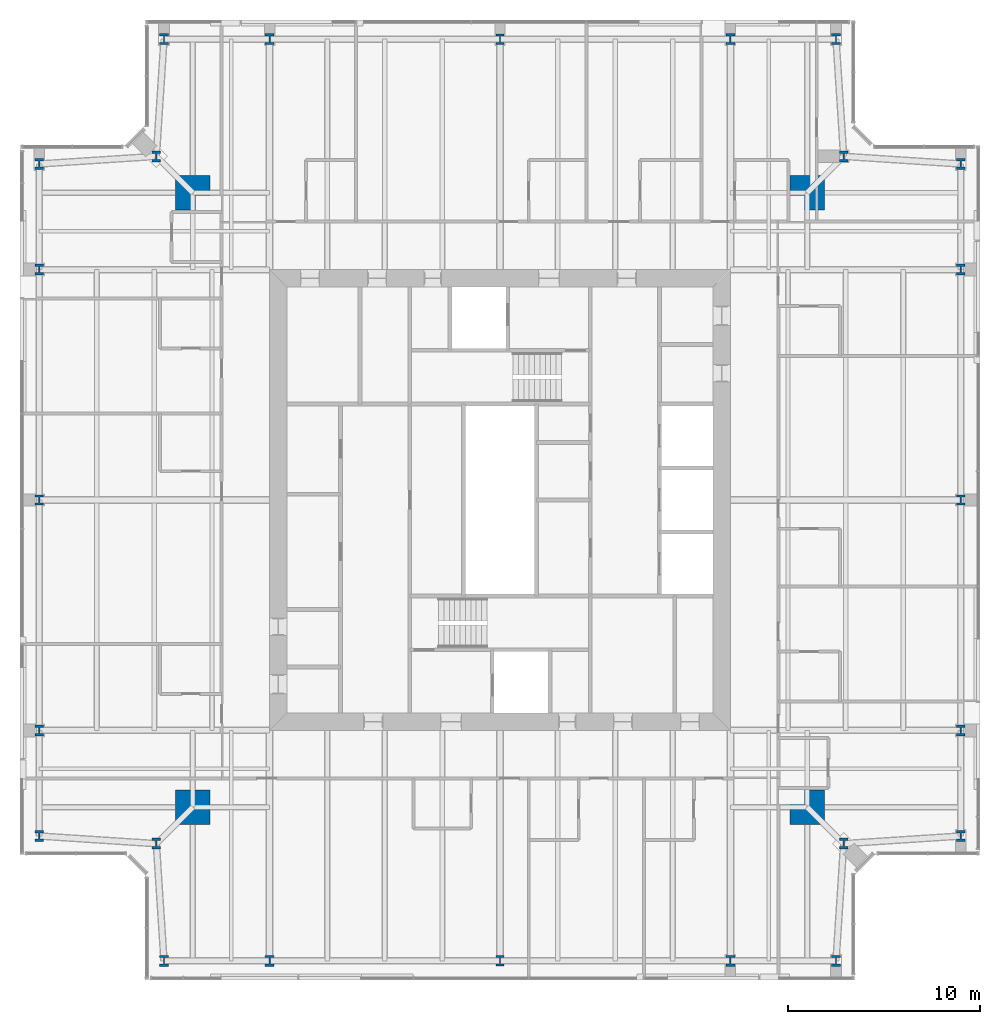
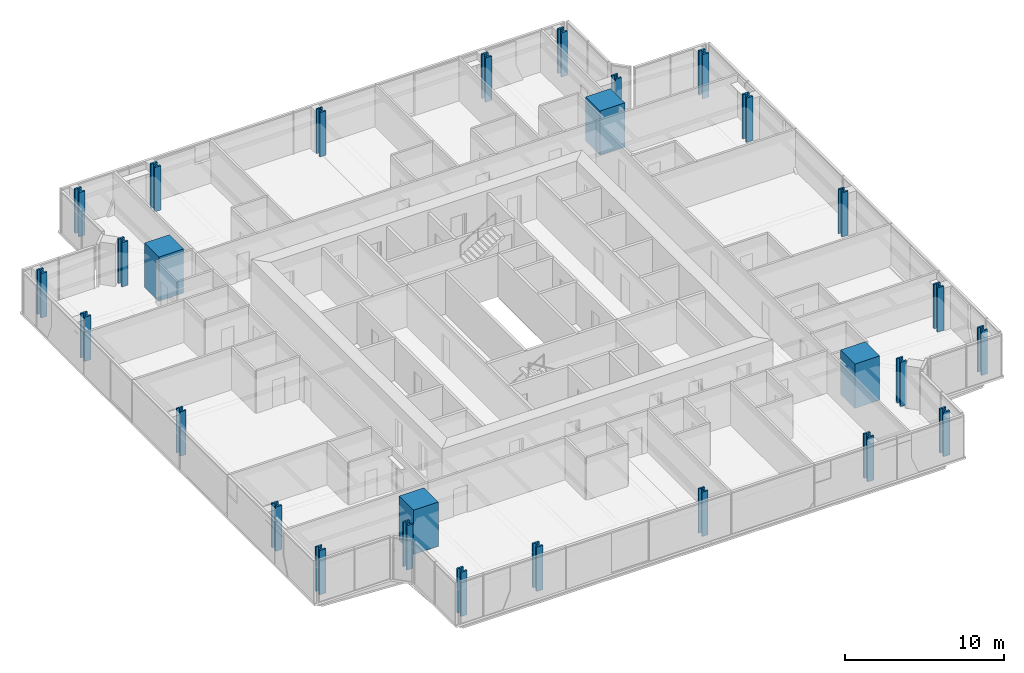
# One storey, part 1 of 18: 28 columns.
"""IFC4 building model written with IfcOpenShell, lengths in metres."""

from ifc_helpers import new_model, si_unit, direction, frame, origin, origin_2d, place, context, subcontext, project, spatial, rectangle, i_section, extrude, material, material_profile, profile_set, type_object, element, save


model = new_model("IFC4")

# Units and contexts
model_context = context("Model", 3, precision=1e-05, world=origin(), true_north=direction((0.0, 1.0)))
body_context = subcontext(model_context, "Body", "Model", "MODEL_VIEW")
ifc_project = project(units=[si_unit("LENGTHUNIT", "METRE"), si_unit("AREAUNIT", "SQUARE_METRE"), si_unit("VOLUMEUNIT", "CUBIC_METRE"), si_unit("PLANEANGLEUNIT", "RADIAN"), si_unit("MASSUNIT", "GRAM", prefix="KILO")], contexts=[model_context])

# Site, building, storey
site_placement = place(None, origin())
site = spatial("IfcSite", under=ifc_project, at=site_placement, CompositionType="ELEMENT")
building_placement = place(site_placement, origin())
building = spatial("IfcBuilding", under=site, at=building_placement, Name="Fenwick Lantern Interchange", CompositionType="ELEMENT")
storey_placement = place(building_placement, frame((0.0, 0.0, 266.199951171875)))
storey = spatial("IfcBuildingStorey", under=building, at=storey_placement, Name="L63", CompositionType="ELEMENT", Elevation=266.199951171875)

# Columns
ifc_material_1 = material(Name="Concrete f'c 70 MPa", Category="concrete")
ifc_material_profile_1 = material_profile(ifc_material_1, rectangle(XDim=1.800048828125, YDim=1.800048828125, at=origin_2d()), Name="RC1800X1800")
ifc_profile_set_1 = profile_set([ifc_material_profile_1], Name="Concrete f'c 70 MPa")
column_type_1 = type_object("IfcColumnType", Name="MEGA COLUMN RC1800X1800", PredefinedType="COLUMN", material=ifc_profile_set_1)
for number, where, z_axis, x_axis, name in (
    (1, (9.0, 9.0, 0.0), (0.0, 0.0, 1.0), (1.0, 0.0, 0.0), "L63/M1"),
    (2, (41.0, 9.0, 0.0), (0.0, 0.0, 1.0), (1.0, 0.0, 0.0), "L63/M2"),
    (3, (41.0, 41.0, 0.0), (0.0, 0.0, 1.0), (1.0, 0.0, 0.0), "L63/M3"),
    (4, (9.0, 41.0, 0.0), (0.0, 0.0, 1.0), (1.0, 0.0, 0.0), "L63/M4"),
):
    element("IfcColumn", number, at=place(storey_placement, frame(where, z_axis=z_axis, x_axis=x_axis)), inside=storey, type_object=column_type_1, Name=name, PredefinedType="COLUMN", context=body_context, shape_type="SweptSolid", body=[
        extrude(rectangle(XDim=1.800048828125, YDim=1.800048828125, at=origin_2d()), origin(), (0.0, 0.0, 1.0), 3.400146484375),
    ])
ifc_material_2 = material(Name="Steel ASTM A992 Grade 50", Category="steel")
ifc_material_profile_2 = material_profile(ifc_material_2, i_section(OverallWidth=0.44189453125, OverallDepth=0.53076171875, WebThickness=0.06591796875, FlangeThickness=0.105712890625, at=origin_2d()), Name="W14X605")
ifc_profile_set_2 = profile_set([ifc_material_profile_2], Name="Steel ASTM A992 Grade 50")
column_type_2 = type_object("IfcColumnType", Name="PERIMETER COLUMN W14X605", PredefinedType="COLUMN", material=ifc_profile_set_2)
for number, where, z_axis, x_axis, name in (
    (5, (25.0, 1.0, 0.0), (0.0, 0.0, 1.0), (1.0, 0.0, 0.0), "L63/CS3"),
    (6, (49.0, 25.0, 0.0), (0.0, 0.0, 1.0), (1.0, 0.0, 0.0), "L63/CE3"),
    (7, (25.0, 49.0, 0.0), (0.0, 0.0, 1.0), (1.0, 0.0, 0.0), "L63/CN3"),
    (8, (1.0, 25.0, 0.0), (0.0, 0.0, 1.0), (1.0, 0.0, 0.0), "L63/CW3"),
):
    element("IfcColumn", number, at=place(storey_placement, frame(where, z_axis=z_axis, x_axis=x_axis)), inside=storey, type_object=column_type_2, Name=name, PredefinedType="COLUMN", context=body_context, shape_type="SweptSolid", body=[
        extrude(i_section(OverallWidth=0.44189453125, OverallDepth=0.53076171875, WebThickness=0.06591796875, FlangeThickness=0.105712890625, at=origin_2d()), origin(), (0.0, 0.0, 1.0), 3.400146484375),
    ])
ifc_material_profile_3 = material_profile(ifc_material_2, i_section(OverallWidth=0.45458984375, OverallDepth=0.56884765625, WebThickness=0.077880859375, FlangeThickness=0.124755859375, at=origin_2d()), Name="W14X730")
ifc_profile_set_3 = profile_set([ifc_material_profile_3], Name="Steel ASTM A992 Grade 50")
column_type_3 = type_object("IfcColumnType", Name="PERIMETER COLUMN W14X730", PredefinedType="COLUMN", material=ifc_profile_set_3)
for number, where, z_axis, x_axis, name in (
    (9, (7.5, 1.0, 0.0), (0.0, 0.0, 1.0), (1.0, 0.0, 0.0), "L63/CS1"),
    (10, (13.0, 1.0, 0.0), (0.0, 0.0, 1.0), (1.0, 0.0, 0.0), "L63/CS2"),
    (11, (37.0, 1.0, 0.0), (0.0, 0.0, 1.0), (1.0, 0.0, 0.0), "L63/CS4"),
    (12, (42.5, 1.0, 0.0), (0.0, 0.0, 1.0), (1.0, 0.0, 0.0), "L63/CS5"),
    (13, (42.89990234375, 7.10009765625, 0.0), (0.0, 0.0, 1.0), (1.0, 0.0, 0.0), "L63/CSR"),
    (14, (49.0, 7.5, 0.0), (0.0, 0.0, 1.0), (1.0, 0.0, 0.0), "L63/CE1"),
    (15, (49.0, 13.0, 0.0), (0.0, 0.0, 1.0), (1.0, 0.0, 0.0), "L63/CE2"),
    (16, (49.0, 37.0, 0.0), (0.0, 0.0, 1.0), (1.0, 0.0, 0.0), "L63/CE4"),
    (17, (49.0, 42.5, 0.0), (0.0, 0.0, 1.0), (1.0, 0.0, 0.0), "L63/CE5"),
    (18, (42.89990234375, 42.89990234375, 0.0), (0.0, 0.0, 1.0), (1.0, 0.0, 0.0), "L63/CER"),
    (19, (42.5, 49.0, 0.0), (0.0, 0.0, 1.0), (1.0, 0.0, 0.0), "L63/CN1"),
    (20, (37.0, 49.0, 0.0), (0.0, 0.0, 1.0), (1.0, 0.0, 0.0), "L63/CN2"),
    (21, (13.0, 49.0, 0.0), (0.0, 0.0, 1.0), (1.0, 0.0, 0.0), "L63/CN4"),
    (22, (7.5, 49.0, 0.0), (0.0, 0.0, 1.0), (1.0, 0.0, 0.0), "L63/CN5"),
    (23, (7.10009765625, 42.89990234375, 0.0), (0.0, 0.0, 1.0), (1.0, 0.0, 0.0), "L63/CNR"),
    (24, (1.0, 42.5, 0.0), (0.0, 0.0, 1.0), (1.0, 0.0, 0.0), "L63/CW1"),
    (25, (1.0, 37.0, 0.0), (0.0, 0.0, 1.0), (1.0, 0.0, 0.0), "L63/CW2"),
    (26, (1.0, 13.0, 0.0), (0.0, 0.0, 1.0), (1.0, 0.0, 0.0), "L63/CW4"),
    (27, (1.0, 7.5, 0.0), (0.0, 0.0, 1.0), (1.0, 0.0, 0.0), "L63/CW5"),
    (28, (7.10009765625, 7.10009765625, 0.0), (0.0, 0.0, 1.0), (1.0, 0.0, 0.0), "L63/CWR"),
):
    element("IfcColumn", number, at=place(storey_placement, frame(where, z_axis=z_axis, x_axis=x_axis)), inside=storey, type_object=column_type_3, Name=name, PredefinedType="COLUMN", context=body_context, shape_type="SweptSolid", body=[
        extrude(i_section(OverallWidth=0.45458984375, OverallDepth=0.56884765625, WebThickness=0.077880859375, FlangeThickness=0.124755859375, at=origin_2d()), origin(), (0.0, 0.0, 1.0), 3.400146484375),
    ])

save(model, "model.ifc")
